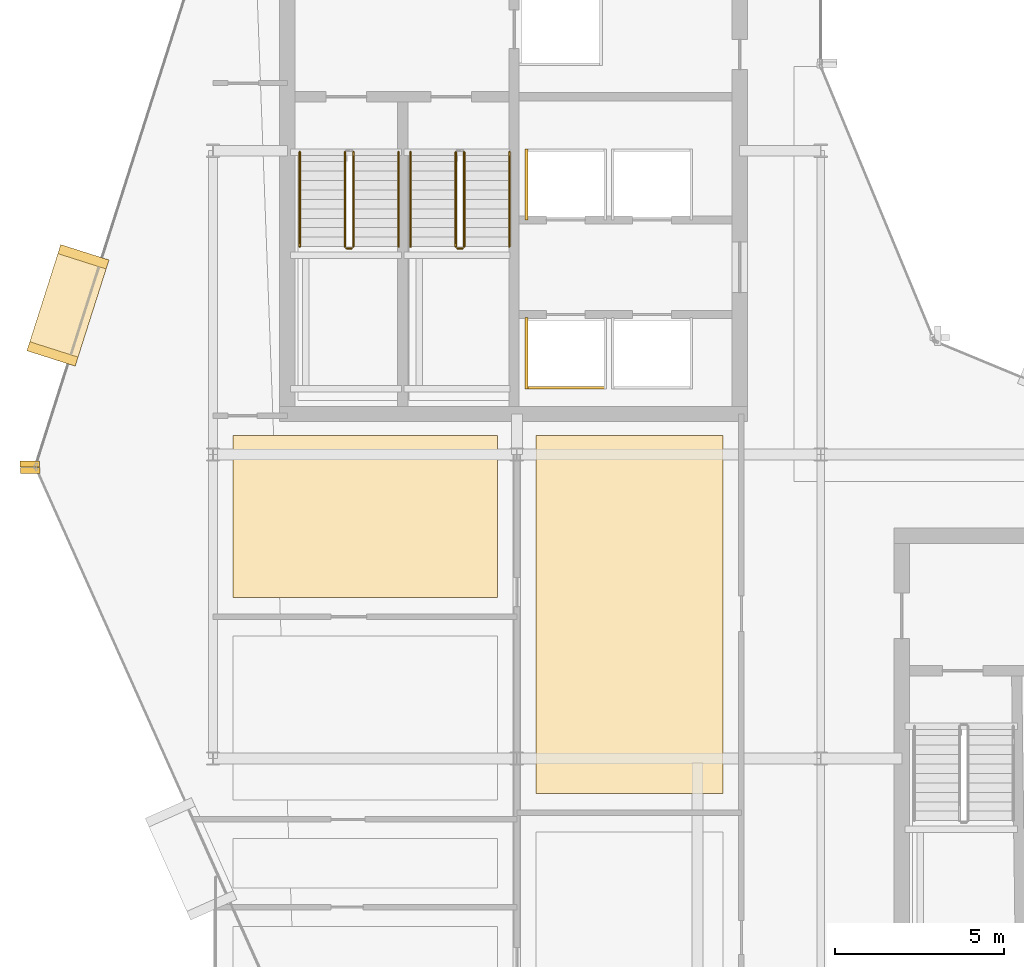
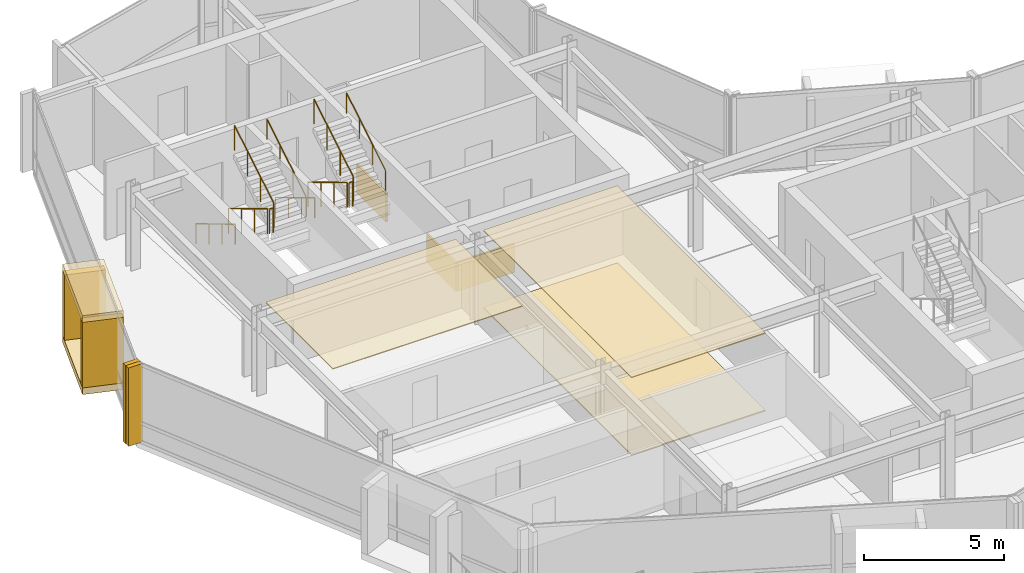
# One storey, part 17 of 19: 12 coverings, 10 railings.
"""IFC4 building model written with IfcOpenShell, lengths in metres."""

from ifc_helpers import new_model, si_unit, direction, frame, origin, origin_2d, place, context, subcontext, project, spatial, polyline, rectangle, circle, outline, extrude, material, layer, layer_set, type_object, element, save


model = new_model("IFC4")

# Units and contexts
model_context = context("Model", 3, precision=1e-05, world=origin(), true_north=direction((0.0, 1.0)))
body_context = subcontext(model_context, "Body", "Model", "MODEL_VIEW")
ifc_project = project(units=[si_unit("LENGTHUNIT", "METRE"), si_unit("AREAUNIT", "SQUARE_METRE"), si_unit("VOLUMEUNIT", "CUBIC_METRE"), si_unit("PLANEANGLEUNIT", "RADIAN"), si_unit("MASSUNIT", "GRAM", prefix="KILO")], contexts=[model_context])

# Site, building, storey
site_placement = place(None, origin())
site = spatial("IfcSite", under=ifc_project, at=site_placement, CompositionType="ELEMENT")
building_placement = place(site_placement, origin())
building = spatial("IfcBuilding", under=site, at=building_placement, Name="Solvaryn Broadcast Tower", CompositionType="ELEMENT")
storey_placement = place(building_placement, frame((0.0, 0.0, 244.5)))
storey = spatial("IfcBuildingStorey", under=building, at=storey_placement, Name="L61", CompositionType="ELEMENT", Elevation=244.5)

# Coverings
ifc_material_1 = material(Name="Micro-Perforated Acoustic Gypsum Ceiling", Category="concrete")
ifc_layer_1 = layer(ifc_material_1, 0.0400390625)
ifc_layer_set_1 = layer_set([ifc_layer_1], Name="CV-CEIL-ACOUSTIC")
covering_type_1 = type_object("IfcCoveringType", Name="CV-CEIL-ACOUSTIC", PredefinedType="CEILING", material=ifc_layer_set_1)
covering_1_placement = place(storey_placement, frame((0.0, 0.0, 3.3798828125)))
element("IfcCovering", 1, at=covering_1_placement, inside=storey, type_object=covering_type_1, Name="L61 Room Acoustic Ceiling 2", PredefinedType="CEILING", context=body_context, shape_type="SweptSolid", body=[
    extrude(outline(polyline([(18.570068359375, 16.969970703125), (24.10009765625, 16.969970703125), (24.10009765625, 27.56005859375), (18.570068359375, 27.56005859375), (18.570068359375, 16.969970703125)])), origin(), (0.0, 0.0, 1.0), 0.0400390625),
])
covering_2_placement = place(storey_placement, frame((0.0, 0.0, 3.3798828125)))
element("IfcCovering", 2, at=covering_2_placement, inside=storey, type_object=covering_type_1, Name="L61 Room Acoustic Ceiling 6", PredefinedType="CEILING", context=body_context, shape_type="SweptSolid", body=[
    extrude(outline(polyline([(9.60009765625, 22.77001953125), (17.429931640625, 22.77001953125), (17.429931640625, 27.56005859375), (9.60009765625, 27.56005859375), (9.60009765625, 22.77001953125)])), origin(), (0.0, 0.0, 1.0), 0.0400390625),
])
ifc_material_2 = material(Name="Newsroom Raised Data Access Flooring", Category="steel")
ifc_layer_2 = layer(ifc_material_2, 0.050048828125)
ifc_layer_set_2 = layer_set([ifc_layer_2], Name="CV-FLOOR-RAISED")
covering_type_2 = type_object("IfcCoveringType", Name="CV-FLOOR-RAISED", PredefinedType="FLOORING", material=ifc_layer_set_2)
covering_3_placement = place(storey_placement, origin())
element("IfcCovering", 3, at=covering_3_placement, inside=storey, type_object=covering_type_2, Name="L61 Room Acoustic Floor Finish 2", PredefinedType="FLOORING", context=body_context, shape_type="SweptSolid", body=[
    extrude(outline(polyline([(18.570068359375, 16.969970703125), (24.10009765625, 16.969970703125), (24.10009765625, 27.56005859375), (18.570068359375, 27.56005859375), (18.570068359375, 16.969970703125)])), origin(), (0.0, 0.0, 1.0), 0.050048828125),
])
ifc_material_3 = material(Name="Fire-Rated Gypsum Shaftwall Liner", Category="concrete")
ifc_layer_3 = layer(ifc_material_3, 0.080078125)
ifc_layer_set_3 = layer_set([ifc_layer_3], Name="CV-SHAFT-LINER")
covering_type_3 = type_object("IfcCoveringType", Name="CV-SHAFT-LINER", PredefinedType="CLADDING", material=ifc_layer_set_3)
covering_4_placement = place(storey_placement, frame((19.449951171875, 28.985107421875, 0.0), z_axis=(0.0, 0.0, 1.0), x_axis=(1.0, 0.0, 0.0)))
element("IfcCovering", 4, at=covering_4_placement, inside=storey, type_object=covering_type_3, Name="L61 PH1 Hoistway Shaft Liner South", PredefinedType="CLADDING", context=body_context, shape_type="SweptSolid", body=[
    extrude(rectangle(XDim=2.409912109375, YDim=0.080078125, at=origin_2d()), origin(), (0.0, 0.0, 1.0), 1.25),
])
for number, where, z_axis, x_axis, name in (
    (5, (18.284912109375, 30.0, 0.0), (0.0, 0.0, 1.0), (1.0, 0.0, 0.0), "L61 PH1 Hoistway Shaft Liner West"),
    (6, (18.284912109375, 35.0, 0.0), (0.0, 0.0, 1.0), (1.0, 0.0, 0.0), "L61 PH3 Hoistway Shaft Liner West"),
):
    element("IfcCovering", number, at=place(storey_placement, frame(where, z_axis=z_axis, x_axis=x_axis)), inside=storey, type_object=covering_type_3, Name=name, PredefinedType="CLADDING", context=body_context, shape_type="SweptSolid", body=[
        extrude(rectangle(XDim=0.080078125, YDim=2.110107421875, at=origin_2d()), origin(), (0.0, 0.0, 1.0), 1.25),
    ])
ifc_material_4 = material(Name="Glazed Architectural Terracotta Rainscreen Cladding", Category="masonry")
ifc_layer_4 = layer(ifc_material_4, 0.280029296875)
ifc_layer_set_4 = layer_set([ifc_layer_4], Name="CV-TC-CLAD")
covering_type_4 = type_object("IfcCoveringType", Name="CV-TC-CLAD", PredefinedType="CLADDING", material=ifc_layer_set_4)
for number, where, z_axis, x_axis, name in (
    (7, (4.7060546875, 31.4208984375, 3.1298828125), (0.0, 0.0, 1.0), (-0.303534206887, -0.952820541996, 0.0), "L61 Projecting Stone Window Box Hood 1"),
    (8, (4.7060546875, 31.4208984375, -0.01025390625), (0.0, 0.0, 1.0), (-0.303534206887, -0.952820541996, 0.0), "L61 Projecting Stone Window Box Sill 1"),
):
    element("IfcCovering", number, at=place(storey_placement, frame(where, z_axis=z_axis, x_axis=x_axis)), inside=storey, type_object=covering_type_4, Name=name, PredefinedType="CLADDING", context=body_context, shape_type="SweptSolid", body=[
        extrude(rectangle(XDim=3.300048828125, YDim=1.5, at=origin_2d()), origin(), (0.0, 0.0, 1.0), 0.300048828125),
    ])
for number, where, z_axis, x_axis, name in (
    (9, (5.164306640625, 32.85986328125, 0.27978515625), (0.0, 0.0, 1.0), (-0.303534206887, -0.952820541996, 0.0), "L61 Projecting Stone Window Box Cheek 1-1"),
    (10, (4.247802734375, 29.982177734375, 0.27978515625), (0.0, 0.0, 1.0), (-0.303534206887, -0.952820541996, 0.0), "L61 Projecting Stone Window Box Cheek 1-2"),
):
    element("IfcCovering", number, at=place(storey_placement, frame(where, z_axis=z_axis, x_axis=x_axis)), inside=storey, type_object=covering_type_4, Name=name, PredefinedType="CLADDING", context=body_context, shape_type="SweptSolid", body=[
        extrude(rectangle(XDim=0.280029296875, YDim=1.5, at=origin_2d()), origin(), (0.0, 0.0, 1.0), 2.860107421875),
    ])
ifc_material_5 = material(Name="Extruded Architectural Terracotta Fin", Category="masonry")
ifc_layer_5 = layer(ifc_material_5, 0.179931640625)
ifc_layer_set_5 = layer_set([ifc_layer_5], Name="CV-TC-FIN")
covering_type_5 = type_object("IfcCoveringType", Name="CV-TC-FIN", PredefinedType="USERDEFINED", material=ifc_layer_set_5)
for number, where, z_axis, x_axis, name in (
    (11, (3.575439453125, 26.71923828125, 0.0), (0.0, 0.0, 1.0), (1.0, 0.0, 0.0), "L61 Terracotta Vertical Fin FIN-L61-DR1-M01"),
    (12, (3.5859375, 26.53515625, 0.0), (0.0, 0.0, 1.0), (1.0, 0.0, 0.0), "L61 Terracotta Vertical Fin FIN-L61-DR2-M00"),
):
    element("IfcCovering", number, at=place(storey_placement, frame(where, z_axis=z_axis, x_axis=x_axis)), inside=storey, type_object=covering_type_5, Name=name, ObjectType="FIN", PredefinedType="USERDEFINED", context=body_context, shape_type="SweptSolid", body=[
        extrude(rectangle(XDim=0.580078125, YDim=0.179931640625, at=origin_2d()), origin(), (0.0, 0.0, 1.0), 3.419921875),
    ])

# Railings
ifc_material_6 = material(Name="Painted Steel Stair Well Guard", Category="steel")
railing_type_1 = type_object("IfcRailingType", Name="RL-STAIR-GUARD", PredefinedType="BALUSTRADE", material=ifc_material_6)
railing_1_placement = place(storey_placement, frame((12.909912109375, 35.9599609375, 0.168212890625)))
element("IfcRailing", 13, at=railing_1_placement, inside=storey, type_object=railing_type_1, Name="L61 ST1 stair guard 1", PredefinedType="BALUSTRADE", context=body_context, shape_type="SweptSolid", body=[
    extrude(circle(Radius=0.02392578125, at=origin_2d()), frame((0.0, 0.0, 1.076171875), z_axis=(0.0, -0.857242210791, 0.514913383045), x_axis=(1.0, 0.0, 0.0)), (0.0, 0.0, 1.0), 3.266357421875),
    extrude(circle(Radius=0.02099609375, at=origin_2d()), origin(), (0.0, 0.0, 1.0), 1.052001953125),
    extrude(circle(Radius=0.02099609375, at=origin_2d()), frame((0.0, -0.933349609375, 0.560546875)), (0.0, 0.0, 1.0), 1.052001953125),
    extrude(circle(Radius=0.02099609375, at=origin_2d()), frame((0.0, -1.86669921875, 1.121337890625)), (0.0, 0.0, 1.0), 1.052001953125),
    extrude(circle(Radius=0.02099609375, at=origin_2d()), frame((0.0, -2.800048828125, 1.681884765625)), (0.0, 0.0, 1.0), 1.052001953125),
])
railing_2_placement = place(storey_placement, frame((12.9599609375, 33.110107421875, 1.85009765625)))
element("IfcRailing", 14, at=railing_2_placement, inside=storey, type_object=railing_type_1, Name="L61 ST1 stair guard 2", PredefinedType="BALUSTRADE", context=body_context, shape_type="SweptSolid", body=[
    extrude(circle(Radius=0.02392578125, at=origin_2d()), frame((0.0, 0.0, 1.076171875), z_axis=(1.0, 0.0, 0.0), x_axis=(0.0, 1.0, 0.0)), (0.0, 0.0, 1.0), 0.150146484375),
    extrude(circle(Radius=0.02099609375, at=origin_2d()), origin(), (0.0, 0.0, 1.0), 1.052001953125),
    extrude(circle(Radius=0.02099609375, at=origin_2d()), frame((0.150146484375, 0.0, 0.0)), (0.0, 0.0, 1.0), 1.052001953125),
])
railing_3_placement = place(storey_placement, frame((13.159912109375, 33.159912109375, 2.01806640625)))
element("IfcRailing", 15, at=railing_3_placement, inside=storey, type_object=railing_type_1, Name="L61 ST1 stair guard 3", PredefinedType="BALUSTRADE", context=body_context, shape_type="SweptSolid", body=[
    extrude(circle(Radius=0.02392578125, at=origin_2d()), frame((0.0, 0.0, 1.076171875), z_axis=(0.0, 0.857242210791, 0.514913383045), x_axis=(-1.0, 0.0, 0.0)), (0.0, 0.0, 1.0), 3.266357421875),
    extrude(circle(Radius=0.02099609375, at=origin_2d()), origin(), (0.0, 0.0, 1.0), 1.052001953125),
    extrude(circle(Radius=0.02099609375, at=origin_2d()), frame((0.0, 0.933349609375, 0.560546875)), (0.0, 0.0, 1.0), 1.052001953125),
    extrude(circle(Radius=0.02099609375, at=origin_2d()), frame((0.0, 1.86669921875, 1.121337890625)), (0.0, 0.0, 1.0), 1.052001953125),
    extrude(circle(Radius=0.02099609375, at=origin_2d()), frame((0.0, 2.800048828125, 1.681884765625)), (0.0, 0.0, 1.0), 1.052001953125),
])
railing_4_placement = place(storey_placement, frame((16.18994140625, 35.9599609375, 0.168212890625)))
element("IfcRailing", 16, at=railing_4_placement, inside=storey, type_object=railing_type_1, Name="L61 ST2 stair guard 1", PredefinedType="BALUSTRADE", context=body_context, shape_type="SweptSolid", body=[
    extrude(circle(Radius=0.02392578125, at=origin_2d()), frame((0.0, 0.0, 1.076171875), z_axis=(0.0, -0.857242210791, 0.514913383045), x_axis=(1.0, 0.0, 0.0)), (0.0, 0.0, 1.0), 3.266357421875),
    extrude(circle(Radius=0.02099609375, at=origin_2d()), origin(), (0.0, 0.0, 1.0), 1.052001953125),
    extrude(circle(Radius=0.02099609375, at=origin_2d()), frame((0.0, -0.933349609375, 0.560546875)), (0.0, 0.0, 1.0), 1.052001953125),
    extrude(circle(Radius=0.02099609375, at=origin_2d()), frame((0.0, -1.86669921875, 1.121337890625)), (0.0, 0.0, 1.0), 1.052001953125),
    extrude(circle(Radius=0.02099609375, at=origin_2d()), frame((0.0, -2.800048828125, 1.681884765625)), (0.0, 0.0, 1.0), 1.052001953125),
])
railing_5_placement = place(storey_placement, frame((16.239990234375, 33.110107421875, 1.85009765625)))
element("IfcRailing", 17, at=railing_5_placement, inside=storey, type_object=railing_type_1, Name="L61 ST2 stair guard 2", PredefinedType="BALUSTRADE", context=body_context, shape_type="SweptSolid", body=[
    extrude(circle(Radius=0.02392578125, at=origin_2d()), frame((0.0, 0.0, 1.076171875), z_axis=(1.0, 0.0, 0.0), x_axis=(0.0, 1.0, 0.0)), (0.0, 0.0, 1.0), 0.14990234375),
    extrude(circle(Radius=0.02099609375, at=origin_2d()), origin(), (0.0, 0.0, 1.0), 1.052001953125),
    extrude(circle(Radius=0.02099609375, at=origin_2d()), frame((0.14990234375, 0.0, 0.0)), (0.0, 0.0, 1.0), 1.052001953125),
])
railing_6_placement = place(storey_placement, frame((16.43994140625, 33.159912109375, 2.01806640625)))
element("IfcRailing", 18, at=railing_6_placement, inside=storey, type_object=railing_type_1, Name="L61 ST2 stair guard 3", PredefinedType="BALUSTRADE", context=body_context, shape_type="SweptSolid", body=[
    extrude(circle(Radius=0.02392578125, at=origin_2d()), frame((0.0, 0.0, 1.076171875), z_axis=(0.0, 0.857242210791, 0.514913383045), x_axis=(-1.0, 0.0, 0.0)), (0.0, 0.0, 1.0), 3.266357421875),
    extrude(circle(Radius=0.02099609375, at=origin_2d()), origin(), (0.0, 0.0, 1.0), 1.052001953125),
    extrude(circle(Radius=0.02099609375, at=origin_2d()), frame((0.0, 0.933349609375, 0.560546875)), (0.0, 0.0, 1.0), 1.052001953125),
    extrude(circle(Radius=0.02099609375, at=origin_2d()), frame((0.0, 1.86669921875, 1.121337890625)), (0.0, 0.0, 1.0), 1.052001953125),
    extrude(circle(Radius=0.02099609375, at=origin_2d()), frame((0.0, 2.800048828125, 1.681884765625)), (0.0, 0.0, 1.0), 1.052001953125),
])
ifc_material_7 = material(Name="Brushed Stainless Steel Tubular Handrail", Category="steel")
railing_type_2 = type_object("IfcRailingType", Name="RL-STAIR-HANDRAIL", PredefinedType="HANDRAIL", material=ifc_material_7)
railing_7_placement = place(storey_placement, frame((11.570068359375, 35.9599609375, 0.168212890625)))
element("IfcRailing", 19, at=railing_7_placement, inside=storey, type_object=railing_type_2, Name="L61 ST1 stair handrail 1", PredefinedType="HANDRAIL", context=body_context, shape_type="SweptSolid", body=[
    extrude(circle(Radius=0.02392578125, at=origin_2d()), frame((0.0, 0.0, 0.8759765625), z_axis=(0.0, -0.857242210791, 0.514913383045), x_axis=(1.0, 0.0, 0.0)), (0.0, 0.0, 1.0), 3.266357421875),
    extrude(circle(Radius=0.02099609375, at=origin_2d()), origin(), (0.0, 0.0, 1.0), 0.851806640625),
    extrude(circle(Radius=0.02099609375, at=origin_2d()), frame((0.0, -0.933349609375, 0.560546875)), (0.0, 0.0, 1.0), 0.851806640625),
    extrude(circle(Radius=0.02099609375, at=origin_2d()), frame((0.0, -1.86669921875, 1.121337890625)), (0.0, 0.0, 1.0), 0.851806640625),
    extrude(circle(Radius=0.02099609375, at=origin_2d()), frame((0.0, -2.800048828125, 1.681884765625)), (0.0, 0.0, 1.0), 0.851806640625),
])
railing_8_placement = place(storey_placement, frame((14.5, 33.159912109375, 2.01806640625)))
element("IfcRailing", 20, at=railing_8_placement, inside=storey, type_object=railing_type_2, Name="L61 ST1 stair handrail 2", PredefinedType="HANDRAIL", context=body_context, shape_type="SweptSolid", body=[
    extrude(circle(Radius=0.02392578125, at=origin_2d()), frame((0.0, 0.0, 0.8759765625), z_axis=(0.0, 0.857242210791, 0.514913383045), x_axis=(-1.0, 0.0, 0.0)), (0.0, 0.0, 1.0), 3.266357421875),
    extrude(circle(Radius=0.02099609375, at=origin_2d()), origin(), (0.0, 0.0, 1.0), 0.851806640625),
    extrude(circle(Radius=0.02099609375, at=origin_2d()), frame((0.0, 0.933349609375, 0.560546875)), (0.0, 0.0, 1.0), 0.851806640625),
    extrude(circle(Radius=0.02099609375, at=origin_2d()), frame((0.0, 1.86669921875, 1.121337890625)), (0.0, 0.0, 1.0), 0.851806640625),
    extrude(circle(Radius=0.02099609375, at=origin_2d()), frame((0.0, 2.800048828125, 1.681884765625)), (0.0, 0.0, 1.0), 0.851806640625),
])
railing_9_placement = place(storey_placement, frame((14.85009765625, 35.9599609375, 0.168212890625)))
element("IfcRailing", 21, at=railing_9_placement, inside=storey, type_object=railing_type_2, Name="L61 ST2 stair handrail 1", PredefinedType="HANDRAIL", context=body_context, shape_type="SweptSolid", body=[
    extrude(circle(Radius=0.02392578125, at=origin_2d()), frame((0.0, 0.0, 0.8759765625), z_axis=(0.0, -0.857242210791, 0.514913383045), x_axis=(1.0, 0.0, 0.0)), (0.0, 0.0, 1.0), 3.266357421875),
    extrude(circle(Radius=0.02099609375, at=origin_2d()), origin(), (0.0, 0.0, 1.0), 0.851806640625),
    extrude(circle(Radius=0.02099609375, at=origin_2d()), frame((0.0, -0.933349609375, 0.560546875)), (0.0, 0.0, 1.0), 0.851806640625),
    extrude(circle(Radius=0.02099609375, at=origin_2d()), frame((0.0, -1.86669921875, 1.121337890625)), (0.0, 0.0, 1.0), 0.851806640625),
    extrude(circle(Radius=0.02099609375, at=origin_2d()), frame((0.0, -2.800048828125, 1.681884765625)), (0.0, 0.0, 1.0), 0.851806640625),
])
railing_10_placement = place(storey_placement, frame((17.780029296875, 33.159912109375, 2.01806640625)))
element("IfcRailing", 22, at=railing_10_placement, inside=storey, type_object=railing_type_2, Name="L61 ST2 stair handrail 2", PredefinedType="HANDRAIL", context=body_context, shape_type="SweptSolid", body=[
    extrude(circle(Radius=0.02392578125, at=origin_2d()), frame((0.0, 0.0, 0.8759765625), z_axis=(0.0, 0.857242210791, 0.514913383045), x_axis=(-1.0, 0.0, 0.0)), (0.0, 0.0, 1.0), 3.266357421875),
    extrude(circle(Radius=0.02099609375, at=origin_2d()), origin(), (0.0, 0.0, 1.0), 0.851806640625),
    extrude(circle(Radius=0.02099609375, at=origin_2d()), frame((0.0, 0.933349609375, 0.560546875)), (0.0, 0.0, 1.0), 0.851806640625),
    extrude(circle(Radius=0.02099609375, at=origin_2d()), frame((0.0, 1.86669921875, 1.121337890625)), (0.0, 0.0, 1.0), 0.851806640625),
    extrude(circle(Radius=0.02099609375, at=origin_2d()), frame((0.0, 2.800048828125, 1.681884765625)), (0.0, 0.0, 1.0), 0.851806640625),
])

save(model, "model.ifc")
